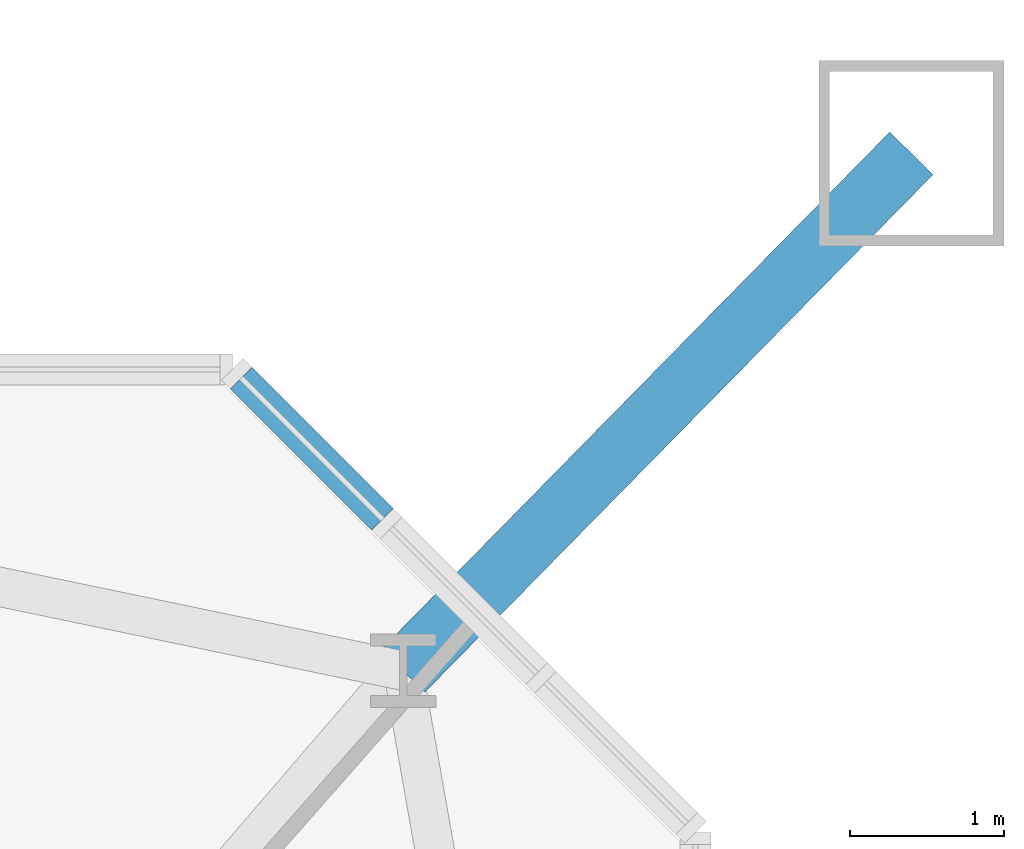
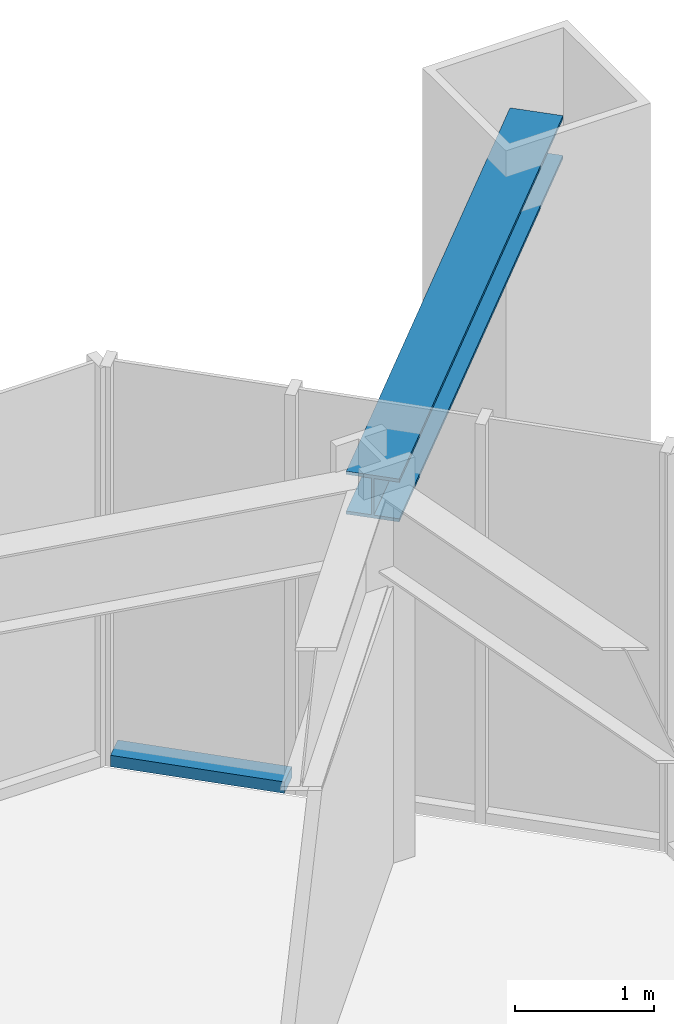
# One storey, part 11 of 26: 2 members, 1 element without a shape of its own.
"""IFC4 building model written with IfcOpenShell, lengths in metres."""

import ifcopenshell
import ifcopenshell.guid

model = None  # the IFC model being written
_history = None  # IfcOwnerHistory: only IFC2X3 demands one
_inside = {}  # id of a spatial element -> (the spatial element, [elements in it])
_under = {}  # id of a project, library or spatial element -> (it, [spatial elements below it])
_declared = {}  # id of a project -> (the project, [libraries it declares])
_typed = {}  # id of a type object -> (the type object, [elements of that type])
_made_of = {}  # id of a material, layer set ... -> (it, [elements and type objects made of it])


def new_model(schema):
    """Start an empty IFC model of exactly this schema.

    Asked for "IFC4X3", IfcOpenShell would pick the latest addendum, in which some entities
    have other attributes; the version numbers below select the first issue.
    IFC2X3 requires an IfcOwnerHistory on every rooted entity: one is made here for all.
    """
    global model, _history
    if schema == "IFC4X3":
        model = ifcopenshell.file(schema_version=(4, 3, 0, 0))
    else:
        model = ifcopenshell.file(schema=schema)
    _inside.clear()
    _under.clear()
    _declared.clear()
    _typed.clear()
    _made_of.clear()
    _history = None
    if model.schema == "IFC2X3":
        org = make("IfcOrganization", Name="unknown")
        user = make(
            "IfcPersonAndOrganization",
            ThePerson=make("IfcPerson", FamilyName="unknown"),
            TheOrganization=org,
        )
        app = make(
            "IfcApplication",
            ApplicationDeveloper=org,
            Version="unknown",
            ApplicationFullName="unknown",
            ApplicationIdentifier="unknown",
        )
        _history = make(
            "IfcOwnerHistory",
            OwningUser=user,
            OwningApplication=app,
            ChangeAction="ADDED",
            CreationDate=0,
        )
    return model


def make(cls, **values):
    """One entity of the class cls with the attributes given. An attribute that is None is left unset."""
    return model.create_entity(
        cls, **{name: value for name, value in values.items() if value is not None}
    )


def rooted(cls, **values):
    """An entity with a GlobalId (a new one), such as an element, a storey or a relation."""
    return make(cls, GlobalId=ifcopenshell.guid.new(), OwnerHistory=_history, **values)


def si_unit(unit_type, name, prefix=None):
    """IfcSIUnit, for example si_unit("LENGTHUNIT", "METRE", prefix="MILLI")."""
    return make("IfcSIUnit", UnitType=unit_type, Prefix=prefix, Name=name)


def assignment(units):
    """IfcUnitAssignment: the units of a project."""
    return None if units is None else make("IfcUnitAssignment", Units=units)


def point(xyz):
    """IfcCartesianPoint."""
    return None if xyz is None else make("IfcCartesianPoint", Coordinates=xyz)


def direction(xyz):
    """IfcDirection."""
    return None if xyz is None else make("IfcDirection", DirectionRatios=xyz)


def frame(location, z_axis=None, x_axis=None):
    """IfcAxis2Placement3D, a coordinate frame: its origin and axes. An axis left out is left unset."""
    return make(
        "IfcAxis2Placement3D",
        Location=point(location),
        Axis=direction(z_axis),
        RefDirection=direction(x_axis),
    )


def frame_2d(location, x_axis=None):
    """IfcAxis2Placement2D, a coordinate frame in the plane: its origin and x axis."""
    return make(
        "IfcAxis2Placement2D", Location=point(location), RefDirection=direction(x_axis)
    )


def origin():
    """The frame at (0, 0, 0) with its axes left unset."""
    return frame((0.0, 0.0, 0.0))


def origin_2d():
    """The frame at (0, 0) in the plane with its x axis left unset."""
    return frame_2d((0.0, 0.0))


def place(relative_to, where):
    """IfcLocalPlacement: puts the frame where relative to a parent placement (None: the world)."""
    return make(
        "IfcLocalPlacement", PlacementRelTo=relative_to, RelativePlacement=where
    )


def context(
    kind, dimensions, precision=None, world=None, true_north=None, identifier=None
):
    """IfcGeometricRepresentationContext, for example the 3D "Model" context."""
    return make(
        "IfcGeometricRepresentationContext",
        ContextIdentifier=identifier,
        ContextType=kind,
        CoordinateSpaceDimension=dimensions,
        Precision=precision,
        WorldCoordinateSystem=world,
        TrueNorth=true_north,
    )


def subcontext(parent, identifier, kind, view, scale=None):
    """IfcGeometricRepresentationSubContext, for example "Body" below "Model"."""
    return make(
        "IfcGeometricRepresentationSubContext",
        ContextIdentifier=identifier,
        ContextType=kind,
        ParentContext=parent,
        TargetScale=scale,
        TargetView=view,
    )


def project(units=None, contexts=None):
    """IfcProject with its units and contexts."""
    return rooted(
        "IfcProject",
        Name="project",
        RepresentationContexts=contexts,
        UnitsInContext=assignment(units),
    )


def spatial(cls, under=None, at=None, **own):
    """A site, building, storey or space (cls), placed at a placement, below another one or the project."""
    s = rooted(cls, ObjectPlacement=at, **own)
    if under is not None:
        _under.setdefault(under.id(), (under, []))[1].append(s)
    return s


def profile(cls, at=None, kind="AREA", **sizes):
    """A parametric profile (cls). Its sizes go by their IFC names, for example OverallWidth=200.0."""
    return make(cls, ProfileType=kind, Position=at, **sizes)


def rectangle(**sizes):
    """IfcRectangleProfileDef."""
    return profile("IfcRectangleProfileDef", **sizes)


def i_section(**sizes):
    """IfcIShapeProfileDef."""
    return profile("IfcIShapeProfileDef", **sizes)


def extrude(swept, where, along, depth):
    """IfcExtrudedAreaSolid: the profile swept, set in the frame where, extruded along a direction by depth."""
    return make(
        "IfcExtrudedAreaSolid",
        SweptArea=swept,
        Position=where,
        ExtrudedDirection=direction(along),
        Depth=depth,
    )


def shape(context_of_items, identifier, shape_type, items):
    """IfcShapeRepresentation: the items that make up one representation, for example the "Body"."""
    return make(
        "IfcShapeRepresentation",
        ContextOfItems=context_of_items,
        RepresentationIdentifier=identifier,
        RepresentationType=shape_type,
        Items=items,
    )


def material(Name=None, Category=None):
    """IfcMaterial."""
    return make("IfcMaterial", Name=Name, Category=Category)


def material_profile(
    of_material, cross_section, Name=None, Category=None, Priority=None
):
    """IfcMaterialProfile: a cross section and its material."""
    return make(
        "IfcMaterialProfile",
        Name=Name,
        Material=of_material,
        Profile=cross_section,
        Priority=Priority,
        Category=Category,
    )


def profile_set(profiles, Name=None, composite=None):
    """IfcMaterialProfileSet."""
    return make(
        "IfcMaterialProfileSet",
        Name=Name,
        MaterialProfiles=profiles,
        CompositeProfile=composite,
    )


def made_of(thing, what):
    """Note that an element or type object is made of a material, layer set ...; save() writes the relation."""
    if what is not None:
        _made_of.setdefault(what.id(), (what, []))[1].append(thing)
    return thing


def type_object(cls, material=None, **own):
    """A type object (cls), such as IfcWallType, which elements share."""
    return made_of(rooted(cls, **own), material)


def element(
    cls,
    number,
    at=None,
    inside=None,
    cuts=None,
    type_object=None,
    material=None,
    context=None,
    identifier="Body",
    shape_type=None,
    held_by="IfcProductDefinitionShape",
    body=None,
    shapes=None,
    **own,
):
    """One element of the class cls, such as IfcWall. Its Tag is "e" and its number.

    at: its placement. inside: the storey or other place that contains it. cuts: it is an
    opening in that element (IfcRelVoidsElement). A single representation is given by context,
    identifier, shape_type and body (its items); several are given by shapes. held_by: the class
    of the entity that holds the representations. save() writes the other relations.
    """
    e = rooted(cls, Tag="e%d" % number, ObjectPlacement=at, **own)
    if body is not None:
        shapes = [shape(context, identifier, shape_type, body)]
    if shapes is not None:
        e.Representation = make(held_by, Representations=shapes)
    if inside is not None:
        _inside.setdefault(inside.id(), (inside, []))[1].append(e)
    if cuts is not None:
        rooted(
            "IfcRelVoidsElement", RelatingBuildingElement=cuts, RelatedOpeningElement=e
        )
    if type_object is not None:
        _typed.setdefault(type_object.id(), (type_object, []))[1].append(e)
    return made_of(e, material)


def aggregate(whole, parts):
    """IfcRelAggregates: a whole, such as a stair, and the parts it consists of."""
    return rooted("IfcRelAggregates", RelatingObject=whole, RelatedObjects=parts)


def save(model, path):
    """Write the relations noted so far, then the file.

    IfcRelAggregates (storeys below a building ...), IfcRelContainedInSpatialStructure (elements
    in a storey), IfcRelDefinesByType, IfcRelAssociatesMaterial and IfcRelDeclares: one each for
    every whole, place, type object, material and project.
    """
    for whole, parts in _under.values():
        aggregate(whole, parts)
    for where, things in _inside.values():
        rooted(
            "IfcRelContainedInSpatialStructure",
            RelatedElements=things,
            RelatingStructure=where,
        )
    for kind, things in _typed.values():
        rooted("IfcRelDefinesByType", RelatedObjects=things, RelatingType=kind)
    for what, things in _made_of.values():
        rooted("IfcRelAssociatesMaterial", RelatedObjects=things, RelatingMaterial=what)
    for by, libraries in _declared.values():
        rooted("IfcRelDeclares", RelatingContext=by, RelatedDefinitions=libraries)
    model.write(path)


model = new_model("IFC4")

# Units and contexts
model_context = context("Model", 3, precision=1e-05, world=origin(), true_north=direction((0.0, 1.0)))
body_context = subcontext(model_context, "Body", "Model", "MODEL_VIEW")
ifc_project = project(units=[si_unit("LENGTHUNIT", "METRE"), si_unit("AREAUNIT", "SQUARE_METRE"), si_unit("VOLUMEUNIT", "CUBIC_METRE"), si_unit("PLANEANGLEUNIT", "RADIAN"), si_unit("MASSUNIT", "GRAM", prefix="KILO")], contexts=[model_context])

# Site, building, storey
site_placement = place(None, origin())
site = spatial("IfcSite", under=ifc_project, at=site_placement, CompositionType="ELEMENT")
building_placement = place(site_placement, origin())
building = spatial("IfcBuilding", under=site, at=building_placement, Name="Iwan Alto Co-Living Towers", CompositionType="ELEMENT")
storey_placement = place(building_placement, frame((0.0, 0.0, 67.5)))
storey = spatial("IfcBuildingStorey", under=building, at=storey_placement, Name="L18", CompositionType="ELEMENT", Elevation=67.5)

# Curtain wall, member
ifc_material_1 = material(Name="Bronze aluminium unitised frame", Category="aluminium")
curtain_wall_type = type_object("IfcCurtainWallType", Name="CURTAIN WALL CW-D", PredefinedType="NOTDEFINED", material=ifc_material_1)
curtain_wall_placement = place(storey_placement, origin())
curtain_wall = element("IfcCurtainWall", 1, at=curtain_wall_placement, inside=storey, type_object=curtain_wall_type, Name="T2 chamfer curtain wall NE L18", PredefinedType="NOTDEFINED")
ifc_material_2 = material(Name="Aluminium 6063-T6 bronze anodised", Category="aluminium")
ifc_material_profile_1 = material_profile(ifc_material_2, rectangle(XDim=0.199951171875, YDim=0.10009765625, at=origin_2d()), Name="AL 200X100")
ifc_profile_set_1 = profile_set([ifc_material_profile_1], Name="Aluminium 6063-T6 bronze anodised")
member_type_1 = type_object("IfcMemberType", Name="CW-D TRANSOM 200X100", PredefinedType="USERDEFINED", material=ifc_profile_set_1)
member_1_placement = place(storey_placement, frame((77.4716796875, 17.7783203125, 0.050048828125), z_axis=(-0.707106781187, 0.707106781187, 0.0), x_axis=(-0.707106781187, -0.707106781187, 0.0)))
member_1 = element("IfcMember", 2, at=member_1_placement, type_object=member_type_1, Name="CW-D transom 3.1", ObjectType="TRANSOM", PredefinedType="USERDEFINED", context=body_context, shape_type="SweptSolid", body=[
    extrude(rectangle(XDim=0.199951171875, YDim=0.10009765625, at=origin_2d()), origin(), (0.0, 0.0, 1.0), 1.2939453125),
])
aggregate(curtain_wall, [member_1])

# Member
ifc_material_3 = material(Name="Steel ASTM A992 Gr 50", Category="steel")
ifc_material_profile_2 = material_profile(ifc_material_3, i_section(OverallWidth=0.393798828125, OverallDepth=0.3759765625, WebThickness=0.017333984375, FlangeThickness=0.027587890625, at=origin_2d()), Name="W14X145")
ifc_profile_set_2 = profile_set([ifc_material_profile_2], Name="Steel ASTM A992 Gr 50")
member_type_2 = type_object("IfcMemberType", Name="T2 MEGA COLUMN FLOOR TIE W14X145", PredefinedType="STRUT", material=ifc_profile_set_2)
member_2_placement = place(storey_placement, frame((80.89990234375, 20.14990234375, 3.08203125), z_axis=(-0.700793469544, -0.71336422187, 0.0), x_axis=(0.71336422187, -0.700793469544, 0.0)))
element("IfcMember", 3, at=member_2_placement, inside=storey, type_object=member_type_2, Name="T2 mega column floor tie NE L19", PredefinedType="STRUT", context=body_context, shape_type="SweptSolid", body=[
    extrude(i_section(OverallWidth=0.393798828125, OverallDepth=0.3759765625, WebThickness=0.017333984375, FlangeThickness=0.027587890625, at=origin_2d()), origin(), (0.0, 0.0, 1.0), 4.699951171875),
])

save(model, "model.ifc")
